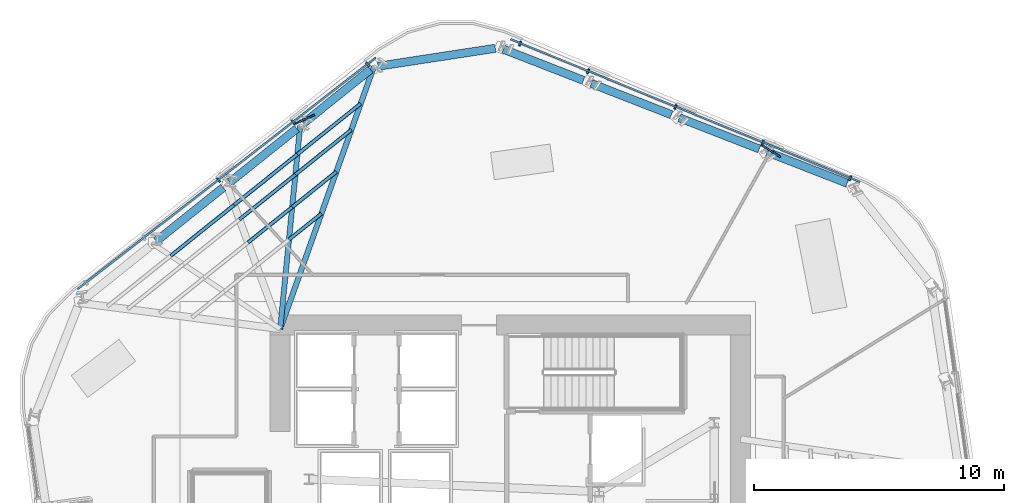
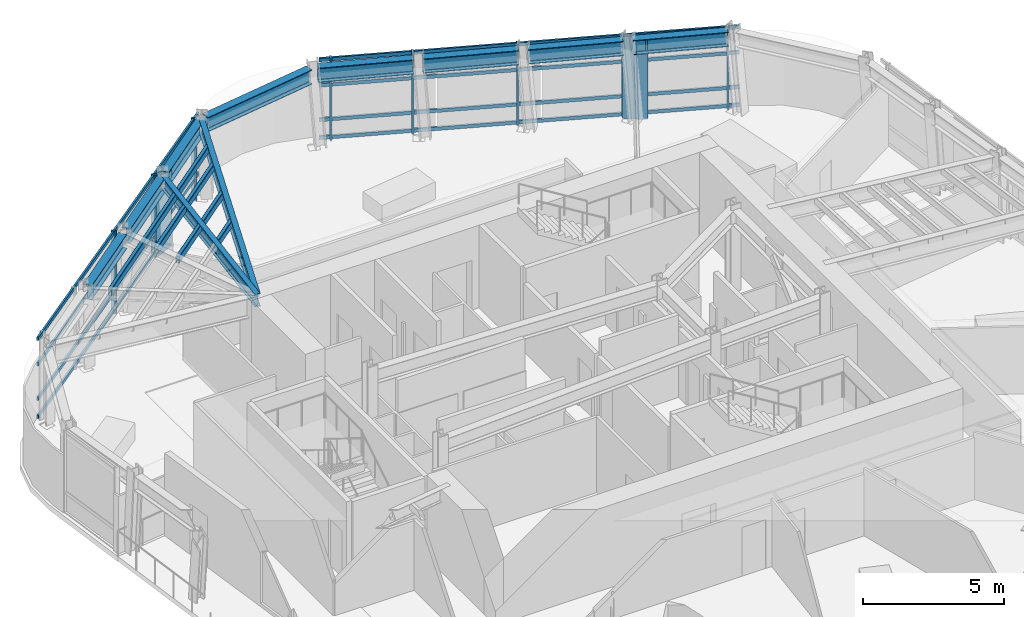
# One storey, part 6 of 15: 26 members, 10 beams, 2 elements without a shape of their own.
"""IFC4 building model written with IfcOpenShell, lengths in metres."""

from ifc_helpers import new_model, si_unit, direction, frame, origin, origin_2d, place, context, subcontext, project, spatial, rectangle, hollow_rectangle, i_section, extrude, material, layer, layer_set, material_profile, profile_set, type_object, element, aggregate, save


model = new_model("IFC4")

# Units and contexts
model_context = context("Model", 3, precision=1e-05, world=origin(), true_north=direction((0.0, 1.0)))
body_context = subcontext(model_context, "Body", "Model", "MODEL_VIEW")
ifc_project = project(units=[si_unit("LENGTHUNIT", "METRE"), si_unit("AREAUNIT", "SQUARE_METRE"), si_unit("VOLUMEUNIT", "CUBIC_METRE"), si_unit("PLANEANGLEUNIT", "RADIAN"), si_unit("MASSUNIT", "GRAM", prefix="KILO")], contexts=[model_context])

# Site, building, storey
site_placement = place(None, origin())
site = spatial("IfcSite", under=ifc_project, at=site_placement, CompositionType="ELEMENT")
building_placement = place(site_placement, origin())
building = spatial("IfcBuilding", under=site, at=building_placement, Name="Valkerne Bourse Tower", CompositionType="ELEMENT")
storey_placement = place(building_placement, frame((0.0, 0.0, 185.60009765625)))
storey = spatial("IfcBuildingStorey", under=building, at=storey_placement, Name="L47", CompositionType="ELEMENT", Elevation=185.60009765625)

# Beams
ifc_material_1 = material(Name="Steel ASTM A992", Category="steel")
ifc_material_profile_1 = material_profile(ifc_material_1, i_section(OverallWidth=0.209228515625, OverallDepth=0.533447265625, WebThickness=0.01025390625, FlangeThickness=0.015625, FilletRadius=0.017822265625, at=origin_2d()), Name="W21X62")
ifc_profile_set_1 = profile_set([ifc_material_profile_1], Name="Steel ASTM A992")
beam_type_1 = type_object("IfcBeamType", Name="BM-W21X62", PredefinedType="JOIST", material=ifc_profile_set_1)
beam_1_placement = place(storey_placement, frame((38.399169921875, 43.517333984375, 3.313232421875), z_axis=(-0.097965540016, -0.995189807509, 0.0), x_axis=(0.995189807509, -0.097965540016, 0.0)))
element("IfcBeam", 1, at=beam_1_placement, inside=storey, type_object=beam_type_1, Name="L47 Radial Composite Floor Beam 06", PredefinedType="JOIST", context=body_context, shape_type="SweptSolid", body=[
    extrude(i_section(OverallWidth=0.209228515625, OverallDepth=0.533447265625, WebThickness=0.01025390625, FlangeThickness=0.015625, FilletRadius=0.017822265625, at=origin_2d()), origin(), (0.0, 0.0, 1.0), 8.15673828125),
])
ifc_material_profile_2 = material_profile(ifc_material_1, i_section(OverallWidth=0.2138671875, OverallDepth=0.548583984375, WebThickness=0.0146484375, FlangeThickness=0.023681640625, FilletRadius=0.017822265625, at=origin_2d()), Name="W21X93")
ifc_profile_set_2 = profile_set([ifc_material_profile_2], Name="Steel ASTM A992")
beam_type_2 = type_object("IfcBeamType", Name="BM-W21X93", PredefinedType="BEAM", material=ifc_profile_set_2)
beam_2_placement = place(storey_placement, frame((41.342041015625, 45.875, 3.3056640625), z_axis=(-0.336403135181, -0.941718073863, 0.0), x_axis=(0.941718073863, -0.336403135181, 0.0)))
element("IfcBeam", 2, at=beam_2_placement, inside=storey, type_object=beam_type_2, Name="L47 Radial Composite Floor Beam 05", PredefinedType="BEAM", context=body_context, shape_type="SweptSolid", body=[
    extrude(i_section(OverallWidth=0.2138671875, OverallDepth=0.548583984375, WebThickness=0.0146484375, FlangeThickness=0.023681640625, FilletRadius=0.017822265625, at=origin_2d()), origin(), (0.0, 0.0, 1.0), 11.123291015625),
])
ifc_material_profile_3 = material_profile(ifc_material_1, i_section(OverallWidth=0.32763671875, OverallDepth=0.62744140625, WebThickness=0.0166015625, FlangeThickness=0.027587890625, FilletRadius=0.020263671875, at=origin_2d()), Name="W24X146")
ifc_profile_set_3 = profile_set([ifc_material_profile_3], Name="Steel ASTM A992")
beam_type_3 = type_object("IfcBeamType", Name="BM-W24X146", PredefinedType="SPANDREL", material=ifc_profile_set_3)
for number, where, z_axis, x_axis, name in (
    (3, (60.259033203125, 41.22607421875, 3.26611328125), (-0.931685143825, 0.363266834127, 0.0), (-0.363266834127, -0.931685143825, 0.0), "L47 Hexagonal Spandrel Ring Beam 00"),
    (4, (56.74560546875, 42.595947265625, 3.26611328125), (-0.931709226194, 0.363205063049, 0.0), (-0.363205063049, -0.931709226194, 0.0), "L47 Hexagonal Spandrel Ring Beam 01"),
):
    element("IfcBeam", number, at=place(storey_placement, frame(where, z_axis=z_axis, x_axis=x_axis)), inside=storey, type_object=beam_type_3, Name=name, PredefinedType="SPANDREL", context=body_context, shape_type="SweptSolid", body=[
        extrude(i_section(OverallWidth=0.32763671875, OverallDepth=0.62744140625, WebThickness=0.0166015625, FlangeThickness=0.027587890625, FilletRadius=0.020263671875, at=origin_2d()), origin(), (0.0, 0.0, 1.0), 3.430908203125),
    ])
beam_3_placement = place(storey_placement, frame((53.232177734375, 43.9658203125, 3.26611328125), z_axis=(-0.931718612654, 0.363180983579, 0.0), x_axis=(-0.363180983579, -0.931718612654, 0.0)))
element("IfcBeam", 5, at=beam_3_placement, inside=storey, type_object=beam_type_3, Name="L47 Hexagonal Spandrel Ring Beam 02", PredefinedType="SPANDREL", context=body_context, shape_type="SweptSolid", body=[
    extrude(i_section(OverallWidth=0.32763671875, OverallDepth=0.62744140625, WebThickness=0.0166015625, FlangeThickness=0.027587890625, FilletRadius=0.020263671875, at=origin_2d()), origin(), (0.0, 0.0, 1.0), 3.43115234375),
])
beam_4_placement = place(storey_placement, frame((49.71875, 45.33544921875, 3.26611328125), z_axis=(-0.931685143825, 0.363266834127, 0.0), x_axis=(-0.363266834127, -0.931685143825, 0.0)))
element("IfcBeam", 6, at=beam_4_placement, inside=storey, type_object=beam_type_3, Name="L47 Hexagonal Spandrel Ring Beam 03", PredefinedType="SPANDREL", context=body_context, shape_type="SweptSolid", body=[
    extrude(i_section(OverallWidth=0.32763671875, OverallDepth=0.62744140625, WebThickness=0.0166015625, FlangeThickness=0.027587890625, FilletRadius=0.020263671875, at=origin_2d()), origin(), (0.0, 0.0, 1.0), 3.430908203125),
])
beam_5_placement = place(storey_placement, frame((46.19580078125, 46.617919921875, 3.26611328125), z_axis=(-0.988493437904, -0.151263753823, 0.0), x_axis=(0.151263753823, -0.988493437904, 0.0)))
element("IfcBeam", 7, at=beam_5_placement, inside=storey, type_object=beam_type_3, Name="L47 Hexagonal Spandrel Ring Beam 04", PredefinedType="SPANDREL", context=body_context, shape_type="SweptSolid", body=[
    extrude(i_section(OverallWidth=0.32763671875, OverallDepth=0.62744140625, WebThickness=0.0166015625, FlangeThickness=0.027587890625, FilletRadius=0.020263671875, at=origin_2d()), origin(), (0.0, 0.0, 1.0), 4.740234375),
])
beam_6_placement = place(storey_placement, frame((41.20947265625, 45.768798828125, 3.26611328125), z_axis=(-0.78043127334, -0.625241575387, 0.0), x_axis=(0.625241575387, -0.78043127334, 0.0)))
element("IfcBeam", 8, at=beam_6_placement, inside=storey, type_object=beam_type_3, Name="L47 Hexagonal Spandrel Ring Beam 05", PredefinedType="SPANDREL", context=body_context, shape_type="SweptSolid", body=[
    extrude(i_section(OverallWidth=0.32763671875, OverallDepth=0.62744140625, WebThickness=0.0166015625, FlangeThickness=0.027587890625, FilletRadius=0.020263671875, at=origin_2d()), origin(), (0.0, 0.0, 1.0), 3.43115234375),
])
beam_7_placement = place(storey_placement, frame((38.266357421875, 43.410888671875, 3.26611328125), z_axis=(-0.780438178257, -0.625232956521, 0.0), x_axis=(0.625232956521, -0.780438178257, 0.0)))
element("IfcBeam", 9, at=beam_7_placement, inside=storey, type_object=beam_type_3, Name="L47 Hexagonal Spandrel Ring Beam 06", PredefinedType="SPANDREL", context=body_context, shape_type="SweptSolid", body=[
    extrude(i_section(OverallWidth=0.32763671875, OverallDepth=0.62744140625, WebThickness=0.0166015625, FlangeThickness=0.027587890625, FilletRadius=0.020263671875, at=origin_2d()), origin(), (0.0, 0.0, 1.0), 3.4306640625),
])
beam_8_placement = place(storey_placement, frame((35.323486328125, 41.05322265625, 3.26611328125), z_axis=(-0.78043127334, -0.625241575387, 0.0), x_axis=(0.625241575387, -0.78043127334, 0.0)))
element("IfcBeam", 10, at=beam_8_placement, inside=storey, type_object=beam_type_3, Name="L47 Hexagonal Spandrel Ring Beam 07", PredefinedType="SPANDREL", context=body_context, shape_type="SweptSolid", body=[
    extrude(i_section(OverallWidth=0.32763671875, OverallDepth=0.62744140625, WebThickness=0.0166015625, FlangeThickness=0.027587890625, FilletRadius=0.020263671875, at=origin_2d()), origin(), (0.0, 0.0, 1.0), 3.43115234375),
])

# Curtain wall, members
ifc_material_2 = material(Name="Aluminium AA 6063-T6", Category="aluminium")
ifc_layer = layer(ifc_material_2, 0.235107421875)
ifc_layer_set = layer_set([ifc_layer], Name="Aluminium AA 6063-T6")
curtain_wall_type = type_object("IfcCurtainWallType", Name="CW-03", PredefinedType="NOTDEFINED", material=ifc_layer_set)
curtain_wall_1_placement = place(storey_placement, origin())
curtain_wall_1 = element("IfcCurtainWall", 11, at=curtain_wall_1_placement, inside=storey, type_object=curtain_wall_type, Name="L47 Hexagonal Stick Curtain Wall Face 1", PredefinedType="NOTDEFINED")
ifc_material_profile_4 = material_profile(ifc_material_2, rectangle(XDim=0.074951171875, YDim=0.199951171875, at=origin_2d()), Name="CWM-75X200")
ifc_profile_set_4 = profile_set([ifc_material_profile_4], Name="Aluminium AA 6063-T6")
member_type_1 = type_object("IfcMemberType", Name="CW-MUL-220X75", PredefinedType="MULLION", material=ifc_profile_set_4)
member_1_placement = place(storey_placement, frame((60.377685546875, 41.422119140625, 0.0), z_axis=(0.0, 0.0, 1.0), x_axis=(-0.925875664448, 0.377828339307, 0.0)))
member_1 = element("IfcMember", 12, at=member_1_placement, type_object=member_type_1, Name="CW-L47-F1 Jamb Mullion 00A", PredefinedType="MULLION", context=body_context, shape_type="SweptSolid", body=[
    extrude(rectangle(XDim=0.074951171875, YDim=0.199951171875, at=origin_2d()), origin(), (0.0, 0.0, 1.0), 3.579833984375),
])
member_2_placement = place(storey_placement, frame((56.88623046875, 42.846923828125, 0.0), z_axis=(0.0, 0.0, 1.0), x_axis=(-0.925862601572, 0.377860348556, 0.0)))
member_2 = element("IfcMember", 13, at=member_2_placement, type_object=member_type_1, Name="CW-L47-F1 Jamb Mullion 01A", PredefinedType="MULLION", context=body_context, shape_type="SweptSolid", body=[
    extrude(rectangle(XDim=0.074951171875, YDim=0.199951171875, at=origin_2d()), origin(), (0.0, 0.0, 1.0), 3.579833984375),
])
member_3_placement = place(storey_placement, frame((53.39501953125, 44.271728515625, 0.0), z_axis=(0.0, 0.0, 1.0), x_axis=(-0.925875664448, 0.377828339307, 0.0)))
member_3 = element("IfcMember", 14, at=member_3_placement, type_object=member_type_1, Name="CW-L47-F1 Jamb Mullion 02A", PredefinedType="MULLION", context=body_context, shape_type="SweptSolid", body=[
    extrude(rectangle(XDim=0.074951171875, YDim=0.199951171875, at=origin_2d()), origin(), (0.0, 0.0, 1.0), 3.579833984375),
])
member_4_placement = place(storey_placement, frame((49.9033203125, 45.696533203125, 0.0), z_axis=(0.0, 0.0, 1.0), x_axis=(-0.925866387681, 0.377851071406, 0.0)))
member_4 = element("IfcMember", 15, at=member_4_placement, type_object=member_type_1, Name="CW-L47-F1 Jamb Mullion 03A", PredefinedType="MULLION", context=body_context, shape_type="SweptSolid", body=[
    extrude(rectangle(XDim=0.074951171875, YDim=0.199951171875, at=origin_2d()), origin(), (0.0, 0.0, 1.0), 3.579833984375),
])
member_5_placement = place(storey_placement, frame((47.189697265625, 46.80419921875, 0.0), z_axis=(0.0, 0.0, 1.0), x_axis=(-0.925866387681, 0.377851071406, 0.0)))
member_5 = element("IfcMember", 16, at=member_5_placement, type_object=member_type_1, Name="CW-L47-F1 Jamb Mullion 03B", PredefinedType="MULLION", context=body_context, shape_type="SweptSolid", body=[
    extrude(rectangle(XDim=0.074951171875, YDim=0.199951171875, at=origin_2d()), origin(), (0.0, 0.0, 1.0), 3.579833984375),
])

curtain_wall_2_placement = place(storey_placement, origin())
curtain_wall_2 = element("IfcCurtainWall", 17, at=curtain_wall_2_placement, inside=storey, type_object=curtain_wall_type, Name="L47 Hexagonal Stick Curtain Wall Face 2", PredefinedType="NOTDEFINED")
member_6_placement = place(storey_placement, frame((41.098876953125, 45.9697265625, 0.0), z_axis=(0.0, 0.0, 1.0), x_axis=(-0.790144053744, -0.612921181174, 0.0)))
member_6 = element("IfcMember", 18, at=member_6_placement, type_object=member_type_1, Name="CW-L47-F2 Jamb Mullion 00A", PredefinedType="MULLION", context=body_context, shape_type="SweptSolid", body=[
    extrude(rectangle(XDim=0.074951171875, YDim=0.199951171875, at=origin_2d()), origin(), (0.0, 0.0, 1.0), 3.579833984375),
])
member_7_placement = place(storey_placement, frame((38.119384765625, 43.658447265625, 0.0), z_axis=(0.0, 0.0, 1.0), x_axis=(-0.790166858134, -0.612891781889, 0.0)))
member_7 = element("IfcMember", 19, at=member_7_placement, type_object=member_type_1, Name="CW-L47-F2 Jamb Mullion 01A", PredefinedType="MULLION", context=body_context, shape_type="SweptSolid", body=[
    extrude(rectangle(XDim=0.074951171875, YDim=0.199951171875, at=origin_2d()), origin(), (0.0, 0.0, 1.0), 3.579833984375),
])
member_8_placement = place(storey_placement, frame((35.1396484375, 41.34716796875, 0.0), z_axis=(0.0, 0.0, 1.0), x_axis=(-0.790154015691, -0.612908338569, 0.0)))
member_8 = element("IfcMember", 20, at=member_8_placement, type_object=member_type_1, Name="CW-L47-F2 Jamb Mullion 02A", PredefinedType="MULLION", context=body_context, shape_type="SweptSolid", body=[
    extrude(rectangle(XDim=0.074951171875, YDim=0.199951171875, at=origin_2d()), origin(), (0.0, 0.0, 1.0), 3.579833984375),
])

# Member
ifc_material_profile_5 = material_profile(ifc_material_2, rectangle(XDim=0.074951171875, YDim=0.14990234375, at=origin_2d()), Name="CWT-75X150")
ifc_profile_set_5 = profile_set([ifc_material_profile_5], Name="Aluminium AA 6063-T6")
member_type_2 = type_object("IfcMemberType", Name="CW-TRN-180X65", PredefinedType="USERDEFINED", material=ifc_profile_set_5)
member_9_placement = place(storey_placement, frame((60.774169921875, 41.281982421875, 0.119873046875), z_axis=(-0.925873529027, 0.377833572156, 0.0), x_axis=(-0.377833572156, -0.925873529027, 0.0)))
member_9 = element("IfcMember", 21, at=member_9_placement, type_object=member_type_2, Name="CW-L47-F1 Continuous Face Transom 1", ObjectType="TRANSOM", PredefinedType="USERDEFINED", context=body_context, shape_type="SweptSolid", body=[
    extrude(rectangle(XDim=0.074951171875, YDim=0.14990234375, at=origin_2d()), origin(), (0.0, 0.0, 1.0), 15.083984375),
])

member_10_placement = place(storey_placement, frame((60.774169921875, 41.281982421875, 0.89990234375), z_axis=(-0.925873529027, 0.377833572156, 0.0), x_axis=(-0.377833572156, -0.925873529027, 0.0)))
member_10 = element("IfcMember", 22, at=member_10_placement, type_object=member_type_2, Name="CW-L47-F1 Continuous Face Transom 2", ObjectType="TRANSOM", PredefinedType="USERDEFINED", context=body_context, shape_type="SweptSolid", body=[
    extrude(rectangle(XDim=0.074951171875, YDim=0.14990234375, at=origin_2d()), origin(), (0.0, 0.0, 1.0), 15.083984375),
])

member_11_placement = place(storey_placement, frame((60.774169921875, 41.281982421875, 2.39990234375), z_axis=(-0.925873529027, 0.377833572156, 0.0), x_axis=(-0.377833572156, -0.925873529027, 0.0)))
member_11 = element("IfcMember", 23, at=member_11_placement, type_object=member_type_2, Name="CW-L47-F1 Continuous Face Transom 3", ObjectType="TRANSOM", PredefinedType="USERDEFINED", context=body_context, shape_type="SweptSolid", body=[
    extrude(rectangle(XDim=0.074951171875, YDim=0.14990234375, at=origin_2d()), origin(), (0.0, 0.0, 1.0), 15.083984375),
])

member_12_placement = place(storey_placement, frame((60.774169921875, 41.281982421875, 3.5), z_axis=(-0.925873529027, 0.377833572156, 0.0), x_axis=(-0.377833572156, -0.925873529027, 0.0)))
member_12 = element("IfcMember", 24, at=member_12_placement, type_object=member_type_2, Name="CW-L47-F1 Continuous Face Transom 4", ObjectType="TRANSOM", PredefinedType="USERDEFINED", context=body_context, shape_type="SweptSolid", body=[
    extrude(rectangle(XDim=0.074951171875, YDim=0.14990234375, at=origin_2d()), origin(), (0.0, 0.0, 1.0), 15.083984375),
])

aggregate(curtain_wall_1, [member_9, member_10, member_11, member_12, member_1, member_2, member_3, member_4, member_5])

member_13_placement = place(storey_placement, frame((41.418701171875, 46.242919921875, 0.119873046875), z_axis=(-0.790154213245, -0.612908083885, 0.0), x_axis=(0.612908083885, -0.790154213245, 0.0)))
member_13 = element("IfcMember", 25, at=member_13_placement, type_object=member_type_2, Name="CW-L47-F2 Continuous Face Transom 1", ObjectType="TRANSOM", PredefinedType="USERDEFINED", context=body_context, shape_type="SweptSolid", body=[
    extrude(rectangle(XDim=0.074951171875, YDim=0.14990234375, at=origin_2d()), origin(), (0.0, 0.0, 1.0), 15.083984375),
])

member_14_placement = place(storey_placement, frame((41.418701171875, 46.242919921875, 0.89990234375), z_axis=(-0.790154213245, -0.612908083885, 0.0), x_axis=(0.612908083885, -0.790154213245, 0.0)))
member_14 = element("IfcMember", 26, at=member_14_placement, type_object=member_type_2, Name="CW-L47-F2 Continuous Face Transom 2", ObjectType="TRANSOM", PredefinedType="USERDEFINED", context=body_context, shape_type="SweptSolid", body=[
    extrude(rectangle(XDim=0.074951171875, YDim=0.14990234375, at=origin_2d()), origin(), (0.0, 0.0, 1.0), 15.083984375),
])

member_15_placement = place(storey_placement, frame((41.418701171875, 46.242919921875, 2.39990234375), z_axis=(-0.790154213245, -0.612908083885, 0.0), x_axis=(0.612908083885, -0.790154213245, 0.0)))
member_15 = element("IfcMember", 27, at=member_15_placement, type_object=member_type_2, Name="CW-L47-F2 Continuous Face Transom 3", ObjectType="TRANSOM", PredefinedType="USERDEFINED", context=body_context, shape_type="SweptSolid", body=[
    extrude(rectangle(XDim=0.074951171875, YDim=0.14990234375, at=origin_2d()), origin(), (0.0, 0.0, 1.0), 15.083984375),
])

member_16_placement = place(storey_placement, frame((41.418701171875, 46.242919921875, 3.5), z_axis=(-0.790154213245, -0.612908083885, 0.0), x_axis=(0.612908083885, -0.790154213245, 0.0)))
member_16 = element("IfcMember", 28, at=member_16_placement, type_object=member_type_2, Name="CW-L47-F2 Continuous Face Transom 4", ObjectType="TRANSOM", PredefinedType="USERDEFINED", context=body_context, shape_type="SweptSolid", body=[
    extrude(rectangle(XDim=0.074951171875, YDim=0.14990234375, at=origin_2d()), origin(), (0.0, 0.0, 1.0), 15.083984375),
])

aggregate(curtain_wall_2, [member_13, member_14, member_15, member_16, member_6, member_7, member_8])

# Members
ifc_material_3 = material(Name="Bronze Anodised Aluminium AA 6063-T6", Category="aluminium")
ifc_material_profile_6 = material_profile(ifc_material_3, rectangle(XDim=0.070068359375, YDim=0.89990234375, at=origin_2d()), Name="FIN-70X900")
ifc_profile_set_6 = profile_set([ifc_material_profile_6], Name="Bronze Anodised Aluminium AA 6063-T6")
member_type_3 = type_object("IfcMemberType", Name="FIN-SOLAR-900", PredefinedType="USERDEFINED", material=ifc_profile_set_6)
for number, where, z_axis, x_axis, name in (
    (29, (57.207275390625, 42.521484375, 0.00390625), (0.0, 0.0, 1.0), (0.539563778963, 0.841944730034, 0.0), "L47 Bronze Anodised Solar Fin F1-01"),
    (30, (38.5615234375, 43.773681640625, 0.00390625), (0.0, 0.0, 1.0), (-0.414802045661, 0.909911678635, 0.0), "L47 Bronze Anodised Solar Fin F2-01"),
):
    element("IfcMember", number, at=place(storey_placement, frame(where, z_axis=z_axis, x_axis=x_axis)), inside=storey, type_object=member_type_3, Name=name, ObjectType="SOLAR_FIN", PredefinedType="USERDEFINED", context=body_context, shape_type="SweptSolid", body=[
        extrude(rectangle(XDim=0.070068359375, YDim=0.89990234375, at=origin_2d()), origin(), (0.0, 0.0, 1.0), 3.572021484375),
    ])
ifc_material_4 = material(Name="Steel ASTM A500 Grade C", Category="steel")
ifc_material_profile_7 = material_profile(ifc_material_4, hollow_rectangle(XDim=0.14990234375, YDim=0.300048828125, WallThickness=0.012451171875, OuterFilletRadius=0.02490234375, at=origin_2d()), Name="HSS300X150X12.5")
ifc_profile_set_7 = profile_set([ifc_material_profile_7], Name="Steel ASTM A500 Grade C")
member_type_4 = type_object("IfcMemberType", Name="MBR-HSS300X150X12.5", PredefinedType="PURLIN", material=ifc_profile_set_7)
member_17_placement = place(storey_placement, frame((39.24658203125, 40.009033203125, 3.419921875), z_axis=(-0.780452325897, -0.625215296519, 0.0), x_axis=(0.625215296519, -0.780452325897, 0.0)))
element("IfcMember", 31, at=member_17_placement, inside=storey, type_object=member_type_4, Name="L47 Secondary Composite Floor Purlin K-05", PredefinedType="PURLIN", context=body_context, shape_type="SweptSolid", body=[
    extrude(hollow_rectangle(XDim=0.14990234375, YDim=0.300048828125, WallThickness=0.012451171875, OuterFilletRadius=0.02490234375, at=origin_2d()), origin(), (0.0, 0.0, 1.0), 1.6591796875),
])
member_18_placement = place(storey_placement, frame((40.444091796875, 43.361083984375, 3.419921875), z_axis=(-0.780436480331, -0.625235075926, 0.0), x_axis=(0.625235075926, -0.780436480331, 0.0)))
element("IfcMember", 32, at=member_18_placement, inside=storey, type_object=member_type_4, Name="L47 Secondary Composite Floor Purlin O-05", PredefinedType="PURLIN", context=body_context, shape_type="SweptSolid", body=[
    extrude(hollow_rectangle(XDim=0.14990234375, YDim=0.300048828125, WallThickness=0.012451171875, OuterFilletRadius=0.02490234375, at=origin_2d()), origin(), (0.0, 0.0, 1.0), 2.8662109375),
])
member_19_placement = place(storey_placement, frame((38.207275390625, 41.569091796875, 3.419921875), z_axis=(-0.7804031778, -0.625276642839, 0.0), x_axis=(0.625276642839, -0.7804031778, 0.0)))
element("IfcMember", 33, at=member_19_placement, inside=storey, type_object=member_type_4, Name="L47 Secondary Composite Floor Purlin O-06", PredefinedType="PURLIN", context=body_context, shape_type="SweptSolid", body=[
    extrude(hollow_rectangle(XDim=0.14990234375, YDim=0.300048828125, WallThickness=0.012451171875, OuterFilletRadius=0.02490234375, at=origin_2d()), origin(), (0.0, 0.0, 1.0), 2.865966796875),
])
member_20_placement = place(storey_placement, frame((39.84521484375, 41.68505859375, 3.419921875), z_axis=(-0.780426433943, -0.625247615911, 0.0), x_axis=(0.625247615911, -0.780426433943, 0.0)))
element("IfcMember", 34, at=member_20_placement, inside=storey, type_object=member_type_4, Name="L47 Secondary Composite Floor Purlin Z-05", PredefinedType="PURLIN", context=body_context, shape_type="SweptSolid", body=[
    extrude(hollow_rectangle(XDim=0.14990234375, YDim=0.300048828125, WallThickness=0.012451171875, OuterFilletRadius=0.02490234375, at=origin_2d()), origin(), (0.0, 0.0, 1.0), 2.262451171875),
])
member_21_placement = place(storey_placement, frame((38.07958984375, 40.2705078125, 3.419921875), z_axis=(-0.780415965148, -0.625260682709, 0.0), x_axis=(0.625260682709, -0.780415965148, 0.0)))
element("IfcMember", 35, at=member_21_placement, inside=storey, type_object=member_type_4, Name="L47 Secondary Composite Floor Purlin Z-06", PredefinedType="PURLIN", context=body_context, shape_type="SweptSolid", body=[
    extrude(hollow_rectangle(XDim=0.14990234375, YDim=0.300048828125, WallThickness=0.012451171875, OuterFilletRadius=0.02490234375, at=origin_2d()), origin(), (0.0, 0.0, 1.0), 2.2626953125),
])
member_22_placement = place(storey_placement, frame((40.818115234375, 44.40869140625, 3.419921875), z_axis=(-0.78041325827, -0.62526406127, 0.0), x_axis=(0.62526406127, -0.78041325827, 0.0)))
element("IfcMember", 36, at=member_22_placement, inside=storey, type_object=member_type_4, Name="L47 Secondary Composite Floor Purlin T-05", PredefinedType="PURLIN", context=body_context, shape_type="SweptSolid", body=[
    extrude(hollow_rectangle(XDim=0.14990234375, YDim=0.300048828125, WallThickness=0.012451171875, OuterFilletRadius=0.02490234375, at=origin_2d()), origin(), (0.0, 0.0, 1.0), 3.2431640625),
])
for number, where, z_axis, x_axis, name in (
    (37, (38.287109375, 42.380859375, 3.419921875), (-0.780449991927, -0.625218209989, 0.0), (0.625218209989, -0.780449991927, 0.0), "L47 Secondary Composite Floor Purlin T-06"),
    (38, (35.756103515625, 40.353271484375, 3.419921875), (-0.78038382512, -0.625300796011, 0.0), (0.625300796011, -0.78038382512, 0.0), "L47 Secondary Composite Floor Purlin T-07"),
):
    element("IfcMember", number, at=place(storey_placement, frame(where, z_axis=z_axis, x_axis=x_axis)), inside=storey, type_object=member_type_4, Name=name, PredefinedType="PURLIN", context=body_context, shape_type="SweptSolid", body=[
        extrude(hollow_rectangle(XDim=0.14990234375, YDim=0.300048828125, WallThickness=0.012451171875, OuterFilletRadius=0.02490234375, at=origin_2d()), origin(), (0.0, 0.0, 1.0), 3.242919921875),
    ])

save(model, "model.ifc")
